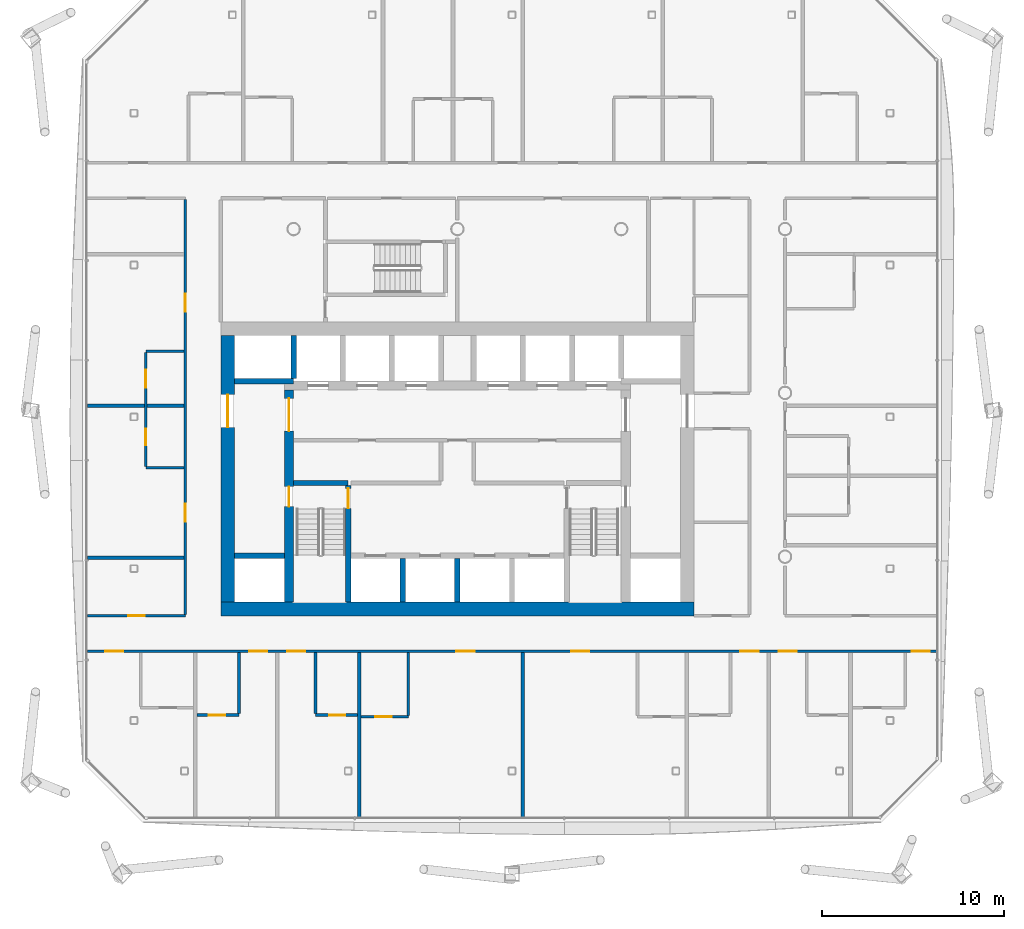
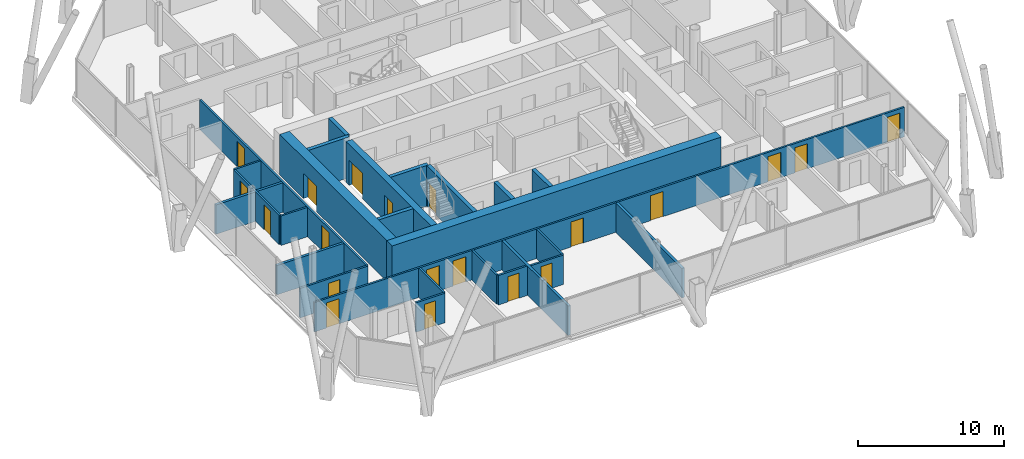
# One storey, part 13 of 22: 26 walls, 20 doors, 20 openings.
"""IFC4 building model written with IfcOpenShell, lengths in metres."""

from ifc_helpers import new_model, si_unit, direction, frame, frame_2d, origin, place, context, subcontext, project, spatial, rectangle, extrude, material, layer, layer_set, type_object, element, fill, save


model = new_model("IFC4")

# Units and contexts
model_context = context("Model", 3, precision=1e-05, world=origin(), true_north=direction((0.0, 1.0)))
body_context = subcontext(model_context, "Body", "Model", "MODEL_VIEW")
ifc_project = project(units=[si_unit("LENGTHUNIT", "METRE"), si_unit("AREAUNIT", "SQUARE_METRE"), si_unit("VOLUMEUNIT", "CUBIC_METRE"), si_unit("PLANEANGLEUNIT", "RADIAN"), si_unit("MASSUNIT", "GRAM", prefix="KILO")], contexts=[model_context])

# Site, building, storey
site_placement = place(None, origin())
site = spatial("IfcSite", under=ifc_project, at=site_placement, CompositionType="ELEMENT")
building_placement = place(site_placement, origin())
building = spatial("IfcBuilding", under=site, at=building_placement, Name="Tskaro Facet Tower", CompositionType="ELEMENT")
storey_placement = place(building_placement, frame((0.0, 0.0, 121.5)))
storey = spatial("IfcBuildingStorey", under=building, at=storey_placement, Name="L28", CompositionType="ELEMENT", Elevation=121.5)

# Walls
ifc_material_1 = material(Name="Concrete C60/75", Category="concrete")
ifc_layer_1 = layer(ifc_material_1, 0.300048828125, Name="Concrete C60/75")
ifc_layer_set_1 = layer_set([ifc_layer_1], Name="Concrete C60/75")
wall_type_1 = type_object("IfcWallType", Name="CORE-SHAFT", PredefinedType="SHEAR", material=ifc_layer_set_1)
wall_1_placement = place(storey_placement, frame((-12.25, -8.949951171875, 0.0), z_axis=(0.0, 0.0, 1.0), x_axis=(1.0, 0.0, 0.0)))
element("IfcWall", 1, at=wall_1_placement, inside=storey, type_object=wall_type_1, Name="Shaft wall W014", PredefinedType="SHEAR", context=body_context, shape_type="SweptSolid", body=[
    extrude(rectangle(XDim=2.75, YDim=0.300048828125, at=frame_2d((1.375, 0.0))), origin(), (0.0, 0.0, 1.0), 3.39990234375),
])
wall_2_placement = place(storey_placement, frame((-9.0, -4.949951171875, 0.0), z_axis=(0.0, 0.0, 1.0), x_axis=(1.0, 0.0, 0.0)))
element("IfcWall", 2, at=wall_2_placement, inside=storey, type_object=wall_type_1, Name="Shaft wall W020", PredefinedType="SHEAR", context=body_context, shape_type="SweptSolid", body=[
    extrude(rectangle(XDim=3.0, YDim=0.300048828125, at=frame_2d((1.5, 0.0))), origin(), (0.0, 0.0, 1.0), 3.39990234375),
])
wall_3_placement = place(storey_placement, frame((-9.0, 0.64990234375, 0.0), z_axis=(0.0, 0.0, 1.0), x_axis=(-1.0, 0.0, 0.0)))
element("IfcWall", 3, at=wall_3_placement, inside=storey, type_object=wall_type_1, Name="Shaft wall W032", PredefinedType="SHEAR", context=body_context, shape_type="SweptSolid", body=[
    extrude(rectangle(XDim=3.25, YDim=0.300048828125, at=frame_2d((1.625, 0.0))), origin(), (0.0, 0.0, 1.0), 3.39990234375),
])
wall_4_placement = place(storey_placement, frame((-9.0, 0.800048828125, 0.0), z_axis=(0.0, 0.0, 1.0), x_axis=(0.0, 1.0, 0.0)))
element("IfcWall", 4, at=wall_4_placement, inside=storey, type_object=wall_type_1, Name="Shaft wall W065", PredefinedType="SHEAR", context=body_context, shape_type="SweptSolid", body=[
    extrude(rectangle(XDim=2.349853515625, YDim=0.300048828125, at=frame_2d((1.1748046875, 0.0))), origin(), (0.0, 0.0, 1.0), 3.39990234375),
])

# Wall, opening, door
wall_5_placement = place(storey_placement, frame((-6.0, -11.5, 0.0), z_axis=(0.0, 0.0, 1.0), x_axis=(0.0, 1.0, 0.0)))
wall_5 = element("IfcWall", 5, at=wall_5_placement, inside=storey, type_object=wall_type_1, Name="Shaft wall W071", PredefinedType="SHEAR", context=body_context, shape_type="SweptSolid", body=[
    extrude(rectangle(XDim=6.39990234375, YDim=0.300048828125, at=frame_2d((3.199951171875, 0.0))), origin(), (0.0, 0.0, 1.0), 3.39990234375),
])
opening_1_placement = place(wall_5_placement, frame((5.14990234375, 0.0, 0.0)))
opening_1 = element("IfcOpeningElement", 6, at=opening_1_placement, cuts=wall_5, Name="Opening ST-1-D1", PredefinedType="OPENING", context=body_context, shape_type="SweptSolid", body=[
    extrude(rectangle(XDim=1.10009765625, YDim=2.10009765625, at=frame_2d((0.550048828125, 1.050048828125))), frame((0.0, 0.159912109375, 0.0), z_axis=(0.0, -1.0, 0.0), x_axis=(1.0, 0.0, 0.0)), (0.0, 0.0, 1.0), 0.320068359375),
])
ifc_material_2 = material(Name="Steel", Category="steel")
door_type_1 = type_object("IfcDoorType", Name="D-STAIR", OperationType="NOTDEFINED", PredefinedType="DOOR", material=ifc_material_2)
door_1_placement = place(opening_1_placement, origin())
door_1 = element("IfcDoor", 7, at=door_1_placement, inside=storey, type_object=door_type_1, Name="Stair door 1", OperationType="SINGLE_SWING_LEFT", OverallHeight=2.10009765625, OverallWidth=1.10009765625, PredefinedType="DOOR", context=body_context, shape_type="SweptSolid", body=[
    extrude(rectangle(XDim=1.10009765625, YDim=2.10009765625, at=frame_2d((0.550048828125, 1.050048828125))), frame((0.0, 0.02490234375, 0.0), z_axis=(0.0, -1.0, 0.0), x_axis=(1.0, 0.0, 0.0)), (0.0, 0.0, 1.0), 0.050048828125),
])
fill(opening_1, door_1)

# Walls
for number, where, z_axis, x_axis, name in (
    (8, (-3.0, -11.5, 0.0), (0.0, 0.0, 1.0), (0.0, 1.0, 0.0), "Shaft wall W075"),
    (9, (0.0, -11.5, 0.0), (0.0, 0.0, 1.0), (0.0, 1.0, 0.0), "Shaft wall W082"),
):
    element("IfcWall", number, at=place(storey_placement, frame(where, z_axis=z_axis, x_axis=x_axis)), inside=storey, type_object=wall_type_1, Name=name, PredefinedType="SHEAR", context=body_context, shape_type="SweptSolid", body=[
        extrude(rectangle(XDim=2.39990234375, YDim=0.300048828125, at=frame_2d((1.199951171875, 0.0))), origin(), (0.0, 0.0, 1.0), 3.39990234375),
    ])

# Wall, openings, doors
ifc_material_3 = material(Name="Concrete C40/50", Category="concrete")
ifc_layer_2 = layer(ifc_material_3, 0.5, Name="Concrete C40/50")
ifc_layer_set_2 = layer_set([ifc_layer_2], Name="Concrete C40/50")
wall_type_2 = type_object("IfcWallType", Name="Core wall 500", PredefinedType="SHEAR", material=ifc_layer_set_2)
wall_6_placement = place(storey_placement, frame((-9.25, -11.5, 0.0), z_axis=(0.0, 0.0, 1.0), x_axis=(0.0, 1.0, 0.0)))
wall_6 = element("IfcWall", 10, at=wall_6_placement, inside=storey, type_object=wall_type_2, Name="Core wall CW-Z3W", PredefinedType="SHEAR", context=body_context, shape_type="SweptSolid", body=[
    extrude(rectangle(XDim=11.64990234375, YDim=0.5, at=frame_2d((5.824951171875, 0.0))), origin(), (0.0, 0.0, 1.0), 3.39990234375),
])
opening_2_placement = place(wall_6_placement, frame((9.39990234375, 0.0, 0.0)))
opening_2 = element("IfcOpeningElement", 11, at=opening_2_placement, cuts=wall_6, Name="Opening T8-D31", PredefinedType="OPENING", context=body_context, shape_type="SweptSolid", body=[
    extrude(rectangle(XDim=1.800048828125, YDim=2.10009765625, at=frame_2d((0.89990234375, 1.050048828125))), frame((0.0, 0.260009765625, 0.0), z_axis=(0.0, -1.0, 0.0), x_axis=(1.0, 0.0, 0.0)), (0.0, 0.0, 1.0), 0.52001953125),
])
opening_3_placement = place(wall_6_placement, frame((5.25, 0.0, 0.0)))
opening_3 = element("IfcOpeningElement", 12, at=opening_3_placement, cuts=wall_6, Name="Opening ST-1-D2", PredefinedType="OPENING", context=body_context, shape_type="SweptSolid", body=[
    extrude(rectangle(XDim=1.10009765625, YDim=2.10009765625, at=frame_2d((0.550048828125, 1.050048828125))), frame((0.0, 0.260009765625, 0.0), z_axis=(0.0, -1.0, 0.0), x_axis=(1.0, 0.0, 0.0)), (0.0, 0.0, 1.0), 0.52001953125),
])
door_type_2 = type_object("IfcDoorType", Name="D-CORE-PAIR", OperationType="NOTDEFINED", PredefinedType="DOOR", material=ifc_material_2)
door_2_placement = place(opening_2_placement, origin())
door_2 = element("IfcDoor", 13, at=door_2_placement, inside=storey, type_object=door_type_2, Name="Door T8-D31", OperationType="DOUBLE_DOOR_SINGLE_SWING", OverallHeight=2.10009765625, OverallWidth=1.800048828125, PredefinedType="DOOR", context=body_context, shape_type="SweptSolid", body=[
    extrude(rectangle(XDim=1.800048828125, YDim=2.10009765625, at=frame_2d((0.89990234375, 1.050048828125))), frame((0.0, 0.02490234375, 0.0), z_axis=(0.0, -1.0, 0.0), x_axis=(1.0, 0.0, 0.0)), (0.0, 0.0, 1.0), 0.050048828125),
])
fill(opening_2, door_2)
door_3_placement = place(opening_3_placement, origin())
door_3 = element("IfcDoor", 14, at=door_3_placement, inside=storey, type_object=door_type_1, Name="Stair door 1 west", OperationType="SINGLE_SWING_LEFT", OverallHeight=2.10009765625, OverallWidth=1.10009765625, PredefinedType="DOOR", context=body_context, shape_type="SweptSolid", body=[
    extrude(rectangle(XDim=1.10009765625, YDim=2.10009765625, at=frame_2d((0.550048828125, 1.050048828125))), frame((0.0, 0.02490234375, 0.0), z_axis=(0.0, -1.0, 0.0), x_axis=(1.0, 0.0, 0.0)), (0.0, 0.0, 1.0), 0.050048828125),
])
fill(opening_3, door_3)

# Wall
ifc_material_4 = material(Name="Concrete C50/60", Category="concrete")
ifc_layer_3 = layer(ifc_material_4, 0.75, Name="Concrete C50/60")
ifc_layer_set_3 = layer_set([ifc_layer_3], Name="Concrete C50/60")
wall_type_3 = type_object("IfcWallType", Name="Core wall 750", PredefinedType="SHEAR", material=ifc_layer_set_3)
wall_7_placement = place(storey_placement, frame((-13.0, -11.875, 0.0), z_axis=(0.0, 0.0, 1.0), x_axis=(1.0, 0.0, 0.0)))
element("IfcWall", 15, at=wall_7_placement, inside=storey, type_object=wall_type_3, Name="Core wall CW-Z2S", PredefinedType="SHEAR", context=body_context, shape_type="SweptSolid", body=[
    extrude(rectangle(XDim=26.0, YDim=0.75, at=frame_2d((13.0, 0.0))), origin(), (0.0, 0.0, 1.0), 3.39990234375),
])

# Wall, opening, door
wall_8_placement = place(storey_placement, frame((-12.625, -11.5, 0.0), z_axis=(0.0, 0.0, 1.0), x_axis=(0.0, 1.0, 0.0)))
wall_8 = element("IfcWall", 16, at=wall_8_placement, inside=storey, type_object=wall_type_3, Name="Core wall CW-Z2W", PredefinedType="SHEAR", context=body_context, shape_type="SweptSolid", body=[
    extrude(rectangle(XDim=14.64990234375, YDim=0.75, at=frame_2d((7.324951171875, 0.0))), origin(), (0.0, 0.0, 1.0), 3.39990234375),
])
opening_4_placement = place(wall_8_placement, frame((9.60009765625, 0.0, 0.0)))
opening_4 = element("IfcOpeningElement", 17, at=opening_4_placement, cuts=wall_8, Name="Opening T8-D33", PredefinedType="OPENING", context=body_context, shape_type="SweptSolid", body=[
    extrude(rectangle(XDim=1.800048828125, YDim=2.10009765625, at=frame_2d((0.89990234375, 1.050048828125))), frame((0.0, 0.385009765625, 0.0), z_axis=(0.0, -1.0, 0.0), x_axis=(1.0, 0.0, 0.0)), (0.0, 0.0, 1.0), 0.77001953125),
])
door_4_placement = place(opening_4_placement, origin())
door_4 = element("IfcDoor", 18, at=door_4_placement, inside=storey, type_object=door_type_2, Name="Door T8-D33", OperationType="DOUBLE_DOOR_SINGLE_SWING", OverallHeight=2.10009765625, OverallWidth=1.800048828125, PredefinedType="DOOR", context=body_context, shape_type="SweptSolid", body=[
    extrude(rectangle(XDim=1.800048828125, YDim=2.10009765625, at=frame_2d((0.89990234375, 1.050048828125))), frame((0.0, 0.02490234375, 0.0), z_axis=(0.0, -1.0, 0.0), x_axis=(1.0, 0.0, 0.0)), (0.0, 0.0, 1.0), 0.050048828125),
])
fill(opening_4, door_4)

ifc_material_5 = material(Name="Gypsum board on steel studs", Category="steel")
ifc_layer_4 = layer(ifc_material_5, 0.14990234375, Name="Gypsum board on steel studs")
ifc_layer_set_4 = layer_set([ifc_layer_4], Name="Gypsum board on steel studs")
wall_type_4 = type_object("IfcWallType", Name="PART-CORR", PredefinedType="PARTITIONING", material=ifc_layer_set_4)
wall_9_placement = place(storey_placement, frame((-5.300048828125, -17.800048828125, 0.0), z_axis=(0.0, 0.0, 1.0), x_axis=(1.0, 0.0, 0.0)))
wall_9 = element("IfcWall", 19, at=wall_9_placement, inside=storey, type_object=wall_type_4, Name="Corridor wall W001", PredefinedType="PARTITIONING", context=body_context, shape_type="SweptSolid", body=[
    extrude(rectangle(XDim=2.60009765625, YDim=0.14990234375, at=frame_2d((1.300048828125, 0.0))), origin(), (0.0, 0.0, 1.0), 2.4599609375),
])
opening_5_placement = place(wall_9_placement, frame((0.800048828125, 0.0, 0.0)))
opening_5 = element("IfcOpeningElement", 20, at=opening_5_placement, cuts=wall_9, Name="Opening T8-D01", PredefinedType="OPENING", context=body_context, shape_type="SweptSolid", body=[
    extrude(rectangle(XDim=0.89990234375, YDim=2.10009765625, at=frame_2d((0.449951171875, 1.050048828125))), frame((0.0, 0.0849609375, 0.0), z_axis=(0.0, -1.0, 0.0), x_axis=(1.0, 0.0, 0.0)), (0.0, 0.0, 1.0), 0.169921875),
])
ifc_material_6 = material(Name="Timber", Category="wood")
door_type_3 = type_object("IfcDoorType", Name="D-ROOM", OperationType="NOTDEFINED", PredefinedType="DOOR", material=ifc_material_6)
door_5_placement = place(opening_5_placement, origin())
door_5 = element("IfcDoor", 21, at=door_5_placement, inside=storey, type_object=door_type_3, Name="Door T8-D01", OperationType="SINGLE_SWING_LEFT", OverallHeight=2.10009765625, OverallWidth=0.89990234375, PredefinedType="DOOR", context=body_context, shape_type="SweptSolid", body=[
    extrude(rectangle(XDim=0.89990234375, YDim=2.10009765625, at=frame_2d((0.449951171875, 1.050048828125))), frame((0.0, 0.02490234375, 0.0), z_axis=(0.0, -1.0, 0.0), x_axis=(1.0, 0.0, 0.0)), (0.0, 0.0, 1.0), 0.050048828125),
])
fill(opening_5, door_5)

wall_10_placement = place(storey_placement, frame((-14.299072265625, -17.699951171875, 0.0), z_axis=(0.0, 0.0, 1.0), x_axis=(1.0, 0.0, 0.0)))
wall_10 = element("IfcWall", 22, at=wall_10_placement, inside=storey, type_object=wall_type_4, Name="Corridor wall W003", PredefinedType="PARTITIONING", context=body_context, shape_type="SweptSolid", body=[
    extrude(rectangle(XDim=2.300048828125, YDim=0.14990234375, at=frame_2d((1.14990234375, 0.0))), origin(), (0.0, 0.0, 1.0), 2.4599609375),
])
opening_6_placement = place(wall_10_placement, frame((0.64990234375, 0.0, 0.0)))
opening_6 = element("IfcOpeningElement", 23, at=opening_6_placement, cuts=wall_10, Name="Opening T8-D03", PredefinedType="OPENING", context=body_context, shape_type="SweptSolid", body=[
    extrude(rectangle(XDim=0.89990234375, YDim=2.10009765625, at=frame_2d((0.449951171875, 1.050048828125))), frame((0.0, 0.0849609375, 0.0), z_axis=(0.0, -1.0, 0.0), x_axis=(1.0, 0.0, 0.0)), (0.0, 0.0, 1.0), 0.169921875),
])
door_6_placement = place(opening_6_placement, origin())
door_6 = element("IfcDoor", 24, at=door_6_placement, inside=storey, type_object=door_type_3, Name="Door T8-D03", OperationType="SINGLE_SWING_LEFT", OverallHeight=2.10009765625, OverallWidth=0.89990234375, PredefinedType="DOOR", context=body_context, shape_type="SweptSolid", body=[
    extrude(rectangle(XDim=0.89990234375, YDim=2.10009765625, at=frame_2d((0.449951171875, 1.050048828125))), frame((0.0, 0.02490234375, 0.0), z_axis=(0.0, -1.0, 0.0), x_axis=(1.0, 0.0, 0.0)), (0.0, 0.0, 1.0), 0.050048828125),
])
fill(opening_6, door_6)

wall_11_placement = place(storey_placement, frame((-7.800048828125, -17.699951171875, 0.0), z_axis=(0.0, 0.0, 1.0), x_axis=(1.0, 0.0, 0.0)))
wall_11 = element("IfcWall", 25, at=wall_11_placement, inside=storey, type_object=wall_type_4, Name="Corridor wall W004", PredefinedType="PARTITIONING", context=body_context, shape_type="SweptSolid", body=[
    extrude(rectangle(XDim=2.300048828125, YDim=0.14990234375, at=frame_2d((1.14990234375, 0.0))), origin(), (0.0, 0.0, 1.0), 2.4599609375),
])
opening_7_placement = place(wall_11_placement, frame((0.75, 0.0, 0.0)))
opening_7 = element("IfcOpeningElement", 26, at=opening_7_placement, cuts=wall_11, Name="Opening T8-D04", PredefinedType="OPENING", context=body_context, shape_type="SweptSolid", body=[
    extrude(rectangle(XDim=0.89990234375, YDim=2.10009765625, at=frame_2d((0.449951171875, 1.050048828125))), frame((0.0, 0.0849609375, 0.0), z_axis=(0.0, -1.0, 0.0), x_axis=(1.0, 0.0, 0.0)), (0.0, 0.0, 1.0), 0.169921875),
])
door_7_placement = place(opening_7_placement, origin())
door_7 = element("IfcDoor", 27, at=door_7_placement, inside=storey, type_object=door_type_3, Name="Door T8-D04", OperationType="SINGLE_SWING_LEFT", OverallHeight=2.10009765625, OverallWidth=0.89990234375, PredefinedType="DOOR", context=body_context, shape_type="SweptSolid", body=[
    extrude(rectangle(XDim=0.89990234375, YDim=2.10009765625, at=frame_2d((0.449951171875, 1.050048828125))), frame((0.0, 0.02490234375, 0.0), z_axis=(0.0, -1.0, 0.0), x_axis=(1.0, 0.0, 0.0)), (0.0, 0.0, 1.0), 0.050048828125),
])
fill(opening_7, door_7)

# Wall, openings, doors
wall_12_placement = place(storey_placement, frame((26.31689453125, -14.199951171875, 0.0), z_axis=(0.0, 0.0, 1.0), x_axis=(-1.0, 0.0, 0.0)))
wall_12 = element("IfcWall", 28, at=wall_12_placement, inside=storey, type_object=wall_type_4, Name="Corridor wall W009", PredefinedType="PARTITIONING", context=body_context, shape_type="SweptSolid", body=[
    extrude(rectangle(XDim=46.6337890625, YDim=0.14990234375, at=frame_2d((23.31689453125, 0.0))), origin(), (0.0, 0.0, 1.0), 2.4599609375),
])
opening_8_placement = place(wall_12_placement, frame((44.675048828125, 0.0, 0.0)))
opening_8 = element("IfcOpeningElement", 29, at=opening_8_placement, cuts=wall_12, Name="Opening T8-D09", PredefinedType="OPENING", context=body_context, shape_type="SweptSolid", body=[
    extrude(rectangle(XDim=1.0, YDim=2.10009765625, at=frame_2d((0.5, 1.050048828125))), frame((0.0, 0.0849609375, 0.0), z_axis=(0.0, -1.0, 0.0), x_axis=(1.0, 0.0, 0.0)), (0.0, 0.0, 1.0), 0.169921875),
])
opening_9_placement = place(wall_12_placement, frame((36.76611328125, 0.0, 0.0)))
opening_9 = element("IfcOpeningElement", 30, at=opening_9_placement, cuts=wall_12, Name="Opening T8-D10", PredefinedType="OPENING", context=body_context, shape_type="SweptSolid", body=[
    extrude(rectangle(XDim=1.0, YDim=2.10009765625, at=frame_2d((0.5, 1.050048828125))), frame((0.0, 0.0849609375, 0.0), z_axis=(0.0, -1.0, 0.0), x_axis=(1.0, 0.0, 0.0)), (0.0, 0.0, 1.0), 0.169921875),
])
opening_10_placement = place(wall_12_placement, frame((34.66650390625, 0.0, 0.0)))
opening_10 = element("IfcOpeningElement", 31, at=opening_10_placement, cuts=wall_12, Name="Opening T8-D11", PredefinedType="OPENING", context=body_context, shape_type="SweptSolid", body=[
    extrude(rectangle(XDim=1.0, YDim=2.10009765625, at=frame_2d((0.5, 1.050048828125))), frame((0.0, 0.0849609375, 0.0), z_axis=(0.0, -1.0, 0.0), x_axis=(1.0, 0.0, 0.0)), (0.0, 0.0, 1.0), 0.169921875),
])
opening_11_placement = place(wall_12_placement, frame((25.366943359375, 0.0, 0.0)))
opening_11 = element("IfcOpeningElement", 32, at=opening_11_placement, cuts=wall_12, Name="Opening T8-D12", PredefinedType="OPENING", context=body_context, shape_type="SweptSolid", body=[
    extrude(rectangle(XDim=1.0, YDim=2.10009765625, at=frame_2d((0.5, 1.050048828125))), frame((0.0, 0.0849609375, 0.0), z_axis=(0.0, -1.0, 0.0), x_axis=(1.0, 0.0, 0.0)), (0.0, 0.0, 1.0), 0.169921875),
])
opening_12_placement = place(wall_12_placement, frame((19.06689453125, 0.0, 0.0)))
opening_12 = element("IfcOpeningElement", 33, at=opening_12_placement, cuts=wall_12, Name="Opening T8-D13", PredefinedType="OPENING", context=body_context, shape_type="SweptSolid", body=[
    extrude(rectangle(XDim=1.0, YDim=2.10009765625, at=frame_2d((0.5, 1.050048828125))), frame((0.0, 0.0849609375, 0.0), z_axis=(0.0, -1.0, 0.0), x_axis=(1.0, 0.0, 0.0)), (0.0, 0.0, 1.0), 0.169921875),
])
opening_13_placement = place(wall_12_placement, frame((9.767578125, 0.0, 0.0)))
opening_13 = element("IfcOpeningElement", 34, at=opening_13_placement, cuts=wall_12, Name="Opening T8-D14", PredefinedType="OPENING", context=body_context, shape_type="SweptSolid", body=[
    extrude(rectangle(XDim=1.0, YDim=2.10009765625, at=frame_2d((0.5, 1.050048828125))), frame((0.0, 0.0849609375, 0.0), z_axis=(0.0, -1.0, 0.0), x_axis=(1.0, 0.0, 0.0)), (0.0, 0.0, 1.0), 0.169921875),
])
opening_14_placement = place(wall_12_placement, frame((7.66796875, 0.0, 0.0)))
opening_14 = element("IfcOpeningElement", 35, at=opening_14_placement, cuts=wall_12, Name="Opening T8-D15", PredefinedType="OPENING", context=body_context, shape_type="SweptSolid", body=[
    extrude(rectangle(XDim=1.0, YDim=2.10009765625, at=frame_2d((0.5, 1.050048828125))), frame((0.0, 0.0849609375, 0.0), z_axis=(0.0, -1.0, 0.0), x_axis=(1.0, 0.0, 0.0)), (0.0, 0.0, 1.0), 0.169921875),
])
opening_15_placement = place(wall_12_placement, frame((0.35888671875, 0.0, 0.0)))
opening_15 = element("IfcOpeningElement", 36, at=opening_15_placement, cuts=wall_12, Name="Opening T8-D16", PredefinedType="OPENING", context=body_context, shape_type="SweptSolid", body=[
    extrude(rectangle(XDim=1.0, YDim=2.10009765625, at=frame_2d((0.5, 1.050048828125))), frame((0.0, 0.0849609375, 0.0), z_axis=(0.0, -1.0, 0.0), x_axis=(1.0, 0.0, 0.0)), (0.0, 0.0, 1.0), 0.169921875),
])
door_type_4 = type_object("IfcDoorType", Name="D-ENTRY", OperationType="NOTDEFINED", PredefinedType="DOOR", material=ifc_material_6)
door_8_placement = place(opening_8_placement, origin())
door_8 = element("IfcDoor", 37, at=door_8_placement, inside=storey, type_object=door_type_4, Name="Door T8-D09", OperationType="SINGLE_SWING_LEFT", OverallHeight=2.10009765625, OverallWidth=1.0, PredefinedType="DOOR", context=body_context, shape_type="SweptSolid", body=[
    extrude(rectangle(XDim=1.0, YDim=2.10009765625, at=frame_2d((0.5, 1.050048828125))), frame((0.0, 0.02490234375, 0.0), z_axis=(0.0, -1.0, 0.0), x_axis=(1.0, 0.0, 0.0)), (0.0, 0.0, 1.0), 0.050048828125),
])
fill(opening_8, door_8)
door_9_placement = place(opening_9_placement, origin())
door_9 = element("IfcDoor", 38, at=door_9_placement, inside=storey, type_object=door_type_4, Name="Door T8-D10", OperationType="SINGLE_SWING_RIGHT", OverallHeight=2.10009765625, OverallWidth=1.0, PredefinedType="DOOR", context=body_context, shape_type="SweptSolid", body=[
    extrude(rectangle(XDim=1.0, YDim=2.10009765625, at=frame_2d((0.5, 1.050048828125))), frame((0.0, 0.02490234375, 0.0), z_axis=(0.0, -1.0, 0.0), x_axis=(1.0, 0.0, 0.0)), (0.0, 0.0, 1.0), 0.050048828125),
])
fill(opening_9, door_9)
door_10_placement = place(opening_10_placement, origin())
door_10 = element("IfcDoor", 39, at=door_10_placement, inside=storey, type_object=door_type_4, Name="Door T8-D11", OperationType="SINGLE_SWING_RIGHT", OverallHeight=2.10009765625, OverallWidth=1.0, PredefinedType="DOOR", context=body_context, shape_type="SweptSolid", body=[
    extrude(rectangle(XDim=1.0, YDim=2.10009765625, at=frame_2d((0.5, 1.050048828125))), frame((0.0, 0.02490234375, 0.0), z_axis=(0.0, -1.0, 0.0), x_axis=(1.0, 0.0, 0.0)), (0.0, 0.0, 1.0), 0.050048828125),
])
fill(opening_10, door_10)
door_11_placement = place(opening_11_placement, origin())
door_11 = element("IfcDoor", 40, at=door_11_placement, inside=storey, type_object=door_type_4, Name="Door T8-D12", OperationType="SINGLE_SWING_LEFT", OverallHeight=2.10009765625, OverallWidth=1.0, PredefinedType="DOOR", context=body_context, shape_type="SweptSolid", body=[
    extrude(rectangle(XDim=1.0, YDim=2.10009765625, at=frame_2d((0.5, 1.050048828125))), frame((0.0, 0.02490234375, 0.0), z_axis=(0.0, -1.0, 0.0), x_axis=(1.0, 0.0, 0.0)), (0.0, 0.0, 1.0), 0.050048828125),
])
fill(opening_11, door_11)
door_12_placement = place(opening_12_placement, origin())
door_12 = element("IfcDoor", 41, at=door_12_placement, inside=storey, type_object=door_type_4, Name="Door T8-D13", OperationType="SINGLE_SWING_LEFT", OverallHeight=2.10009765625, OverallWidth=1.0, PredefinedType="DOOR", context=body_context, shape_type="SweptSolid", body=[
    extrude(rectangle(XDim=1.0, YDim=2.10009765625, at=frame_2d((0.5, 1.050048828125))), frame((0.0, 0.02490234375, 0.0), z_axis=(0.0, -1.0, 0.0), x_axis=(1.0, 0.0, 0.0)), (0.0, 0.0, 1.0), 0.050048828125),
])
fill(opening_12, door_12)
door_13_placement = place(opening_13_placement, origin())
door_13 = element("IfcDoor", 42, at=door_13_placement, inside=storey, type_object=door_type_4, Name="Door T8-D14", OperationType="SINGLE_SWING_RIGHT", OverallHeight=2.10009765625, OverallWidth=1.0, PredefinedType="DOOR", context=body_context, shape_type="SweptSolid", body=[
    extrude(rectangle(XDim=1.0, YDim=2.10009765625, at=frame_2d((0.5, 1.050048828125))), frame((0.0, 0.02490234375, 0.0), z_axis=(0.0, -1.0, 0.0), x_axis=(1.0, 0.0, 0.0)), (0.0, 0.0, 1.0), 0.050048828125),
])
fill(opening_13, door_13)
door_14_placement = place(opening_14_placement, origin())
door_14 = element("IfcDoor", 43, at=door_14_placement, inside=storey, type_object=door_type_4, Name="Door T8-D15", OperationType="SINGLE_SWING_RIGHT", OverallHeight=2.10009765625, OverallWidth=1.0, PredefinedType="DOOR", context=body_context, shape_type="SweptSolid", body=[
    extrude(rectangle(XDim=1.0, YDim=2.10009765625, at=frame_2d((0.5, 1.050048828125))), frame((0.0, 0.02490234375, 0.0), z_axis=(0.0, -1.0, 0.0), x_axis=(1.0, 0.0, 0.0)), (0.0, 0.0, 1.0), 0.050048828125),
])
fill(opening_14, door_14)
door_15_placement = place(opening_15_placement, origin())
door_15 = element("IfcDoor", 44, at=door_15_placement, inside=storey, type_object=door_type_4, Name="Door T8-D16", OperationType="SINGLE_SWING_LEFT", OverallHeight=2.10009765625, OverallWidth=1.0, PredefinedType="DOOR", context=body_context, shape_type="SweptSolid", body=[
    extrude(rectangle(XDim=1.0, YDim=2.10009765625, at=frame_2d((0.5, 1.050048828125))), frame((0.0, 0.02490234375, 0.0), z_axis=(0.0, -1.0, 0.0), x_axis=(1.0, 0.0, 0.0)), (0.0, 0.0, 1.0), 0.050048828125),
])
fill(opening_15, door_15)

# Wall, opening, door
wall_13_placement = place(storey_placement, frame((-20.31689453125, -12.25, 0.0), z_axis=(0.0, 0.0, 1.0), x_axis=(1.0, 0.0, 0.0)))
wall_13 = element("IfcWall", 45, at=wall_13_placement, inside=storey, type_object=wall_type_4, Name="Corridor wall W010", PredefinedType="PARTITIONING", context=body_context, shape_type="SweptSolid", body=[
    extrude(rectangle(XDim=5.366943359375, YDim=0.14990234375, at=frame_2d((2.68359375, 0.0))), origin(), (0.0, 0.0, 1.0), 2.4599609375),
])
opening_16_placement = place(wall_13_placement, frame((2.2333984375, 0.0, 0.0)))
opening_16 = element("IfcOpeningElement", 46, at=opening_16_placement, cuts=wall_13, Name="Opening T8-D17", PredefinedType="OPENING", context=body_context, shape_type="SweptSolid", body=[
    extrude(rectangle(XDim=0.89990234375, YDim=2.10009765625, at=frame_2d((0.449951171875, 1.050048828125))), frame((0.0, 0.0849609375, 0.0), z_axis=(0.0, -1.0, 0.0), x_axis=(1.0, 0.0, 0.0)), (0.0, 0.0, 1.0), 0.169921875),
])
door_16_placement = place(opening_16_placement, origin())
door_16 = element("IfcDoor", 47, at=door_16_placement, inside=storey, type_object=door_type_3, Name="Door T8-D17", OperationType="SINGLE_SWING_LEFT", OverallHeight=2.10009765625, OverallWidth=0.89990234375, PredefinedType="DOOR", context=body_context, shape_type="SweptSolid", body=[
    extrude(rectangle(XDim=0.89990234375, YDim=2.10009765625, at=frame_2d((0.449951171875, 1.050048828125))), frame((0.0, 0.02490234375, 0.0), z_axis=(0.0, -1.0, 0.0), x_axis=(1.0, 0.0, 0.0)), (0.0, 0.0, 1.0), 0.050048828125),
])
fill(opening_16, door_16)

# Walls
for number, where, z_axis, x_axis, name in (
    (48, (-17.1201171875, -4.114990234375, 0.0), (0.0, 0.0, 1.0), (1.0, 0.0, 0.0), "Corridor wall W025"),
    (49, (-17.1201171875, 2.284912109375, 0.0), (0.0, 0.0, 1.0), (1.0, 0.0, 0.0), "Corridor wall W034"),
):
    element("IfcWall", number, at=place(storey_placement, frame(where, z_axis=z_axis, x_axis=x_axis)), inside=storey, type_object=wall_type_4, Name=name, PredefinedType="PARTITIONING", context=body_context, shape_type="SweptSolid", body=[
        extrude(rectangle(XDim=2.09521484375, YDim=0.14990234375, at=frame_2d((1.047607421875, 0.0))), origin(), (0.0, 0.0, 1.0), 2.4599609375),
    ])

# Wall, openings, doors
wall_14_placement = place(storey_placement, frame((-17.1201171875, 2.2099609375, 0.0), z_axis=(0.0, 0.0, 1.0), x_axis=(0.0, -1.0, 0.0)))
wall_14 = element("IfcWall", 50, at=wall_14_placement, inside=storey, type_object=wall_type_4, Name="Corridor wall W056", PredefinedType="PARTITIONING", context=body_context, shape_type="SweptSolid", body=[
    extrude(rectangle(XDim=6.25, YDim=0.14990234375, at=frame_2d((3.125, 0.0))), origin(), (0.0, 0.0, 1.0), 2.4599609375),
])
opening_17_placement = place(wall_14_placement, frame((4.175048828125, 0.0, 0.0)))
opening_17 = element("IfcOpeningElement", 51, at=opening_17_placement, cuts=wall_14, Name="Opening T8-D28", PredefinedType="OPENING", context=body_context, shape_type="SweptSolid", body=[
    extrude(rectangle(XDim=0.89990234375, YDim=2.10009765625, at=frame_2d((0.449951171875, 1.050048828125))), frame((0.0, 0.0849609375, 0.0), z_axis=(0.0, -1.0, 0.0), x_axis=(1.0, 0.0, 0.0)), (0.0, 0.0, 1.0), 0.169921875),
])
opening_18_placement = place(wall_14_placement, frame((0.925048828125, 0.0, 0.0)))
opening_18 = element("IfcOpeningElement", 52, at=opening_18_placement, cuts=wall_14, Name="Opening T8-D38", PredefinedType="OPENING", context=body_context, shape_type="SweptSolid", body=[
    extrude(rectangle(XDim=1.0, YDim=2.10009765625, at=frame_2d((0.5, 1.050048828125))), frame((0.0, 0.0849609375, 0.0), z_axis=(0.0, -1.0, 0.0), x_axis=(1.0, 0.0, 0.0)), (0.0, 0.0, 1.0), 0.169921875),
])
door_17_placement = place(opening_17_placement, origin())
door_17 = element("IfcDoor", 53, at=door_17_placement, inside=storey, type_object=door_type_3, Name="Door T8-D28", OperationType="SINGLE_SWING_RIGHT", OverallHeight=2.10009765625, OverallWidth=0.89990234375, PredefinedType="DOOR", context=body_context, shape_type="SweptSolid", body=[
    extrude(rectangle(XDim=0.89990234375, YDim=2.10009765625, at=frame_2d((0.449951171875, 1.050048828125))), frame((0.0, 0.02490234375, 0.0), z_axis=(0.0, -1.0, 0.0), x_axis=(1.0, 0.0, 0.0)), (0.0, 0.0, 1.0), 0.050048828125),
])
fill(opening_17, door_17)
door_type_5 = type_object("IfcDoorType", Name="D-ROOM-WIDE", OperationType="NOTDEFINED", PredefinedType="DOOR", material=ifc_material_6)
door_18_placement = place(opening_18_placement, origin())
door_18 = element("IfcDoor", 54, at=door_18_placement, inside=storey, type_object=door_type_5, Name="Door T8-D38", OperationType="SINGLE_SWING_RIGHT", OverallHeight=2.10009765625, OverallWidth=1.0, PredefinedType="DOOR", context=body_context, shape_type="SweptSolid", body=[
    extrude(rectangle(XDim=1.0, YDim=2.10009765625, at=frame_2d((0.5, 1.050048828125))), frame((0.0, 0.02490234375, 0.0), z_axis=(0.0, -1.0, 0.0), x_axis=(1.0, 0.0, 0.0)), (0.0, 0.0, 1.0), 0.050048828125),
])
fill(opening_18, door_18)

wall_15_placement = place(storey_placement, frame((-14.949951171875, -12.175048828125, 0.0), z_axis=(0.0, 0.0, 1.0), x_axis=(0.0, 1.0, 0.0)))
wall_15 = element("IfcWall", 55, at=wall_15_placement, inside=storey, type_object=wall_type_4, Name="Corridor wall W057", PredefinedType="PARTITIONING", context=body_context, shape_type="SweptSolid", body=[
    extrude(rectangle(XDim=22.800048828125, YDim=0.14990234375, at=frame_2d((11.39990234375, 0.0))), origin(), (0.0, 0.0, 1.0), 2.4599609375),
])
opening_19_placement = place(wall_15_placement, frame((5.089111328125, 0.0, 0.0)))
opening_19 = element("IfcOpeningElement", 56, at=opening_19_placement, cuts=wall_15, Name="Opening T8-D23", PredefinedType="OPENING", context=body_context, shape_type="SweptSolid", body=[
    extrude(rectangle(XDim=1.0, YDim=2.10009765625, at=frame_2d((0.5, 1.050048828125))), frame((0.0, 0.0849609375, 0.0), z_axis=(0.0, -1.0, 0.0), x_axis=(1.0, 0.0, 0.0)), (0.0, 0.0, 1.0), 0.169921875),
])
opening_20_placement = place(wall_15_placement, frame((16.630615234375, 0.0, 0.0)))
opening_20 = element("IfcOpeningElement", 57, at=opening_20_placement, cuts=wall_15, Name="Opening T8-D41", PredefinedType="OPENING", context=body_context, shape_type="SweptSolid", body=[
    extrude(rectangle(XDim=1.0, YDim=2.10009765625, at=frame_2d((0.5, 1.050048828125))), frame((0.0, 0.0849609375, 0.0), z_axis=(0.0, -1.0, 0.0), x_axis=(1.0, 0.0, 0.0)), (0.0, 0.0, 1.0), 0.169921875),
])
door_19_placement = place(opening_19_placement, origin())
door_19 = element("IfcDoor", 58, at=door_19_placement, inside=storey, type_object=door_type_4, Name="Door T8-D23", OperationType="SINGLE_SWING_RIGHT", OverallHeight=2.10009765625, OverallWidth=1.0, PredefinedType="DOOR", context=body_context, shape_type="SweptSolid", body=[
    extrude(rectangle(XDim=1.0, YDim=2.10009765625, at=frame_2d((0.5, 1.050048828125))), frame((0.0, 0.02490234375, 0.0), z_axis=(0.0, -1.0, 0.0), x_axis=(1.0, 0.0, 0.0)), (0.0, 0.0, 1.0), 0.050048828125),
])
fill(opening_19, door_19)
door_20_placement = place(opening_20_placement, origin())
door_20 = element("IfcDoor", 59, at=door_20_placement, inside=storey, type_object=door_type_4, Name="Door T8-D41", OperationType="SINGLE_SWING_LEFT", OverallHeight=2.10009765625, OverallWidth=1.0, PredefinedType="DOOR", context=body_context, shape_type="SweptSolid", body=[
    extrude(rectangle(XDim=1.0, YDim=2.10009765625, at=frame_2d((0.5, 1.050048828125))), frame((0.0, 0.02490234375, 0.0), z_axis=(0.0, -1.0, 0.0), x_axis=(1.0, 0.0, 0.0)), (0.0, 0.0, 1.0), 0.050048828125),
])
fill(opening_20, door_20)

# Walls
for number, where, z_axis, x_axis, name in (
    (60, (-11.9990234375, -17.625, 0.0), (0.0, 0.0, 1.0), (0.0, 1.0, 0.0), "Corridor wall W061"),
    (61, (-7.800048828125, -17.625, 0.0), (0.0, 0.0, 1.0), (0.0, 1.0, 0.0), "Corridor wall W066"),
):
    element("IfcWall", number, at=place(storey_placement, frame(where, z_axis=z_axis, x_axis=x_axis)), inside=storey, type_object=wall_type_4, Name=name, PredefinedType="PARTITIONING", context=body_context, shape_type="SweptSolid", body=[
        extrude(rectangle(XDim=3.35009765625, YDim=0.14990234375, at=frame_2d((1.675048828125, 0.0))), origin(), (0.0, 0.0, 1.0), 2.4599609375),
    ])
wall_16_placement = place(storey_placement, frame((-2.699951171875, -17.72509765625, 0.0), z_axis=(0.0, 0.0, 1.0), x_axis=(0.0, 1.0, 0.0)))
element("IfcWall", 62, at=wall_16_placement, inside=storey, type_object=wall_type_4, Name="Corridor wall W076", PredefinedType="PARTITIONING", context=body_context, shape_type="SweptSolid", body=[
    extrude(rectangle(XDim=3.4501953125, YDim=0.14990234375, at=frame_2d((1.72509765625, 0.0))), origin(), (0.0, 0.0, 1.0), 2.4599609375),
])
ifc_layer_5 = layer(ifc_material_5, 0.199951171875, Name="Gypsum board on steel studs")
ifc_layer_set_5 = layer_set([ifc_layer_5], Name="Gypsum board on steel studs")
wall_type_5 = type_object("IfcWallType", Name="PART-DEMISING", PredefinedType="PARTITIONING", material=ifc_layer_set_5)
for number, where, z_axis, x_axis, name in (
    (63, (-20.31689453125, -9.056884765625, 0.0), (0.0, 0.0, 1.0), (1.0, 0.0, 0.0), "Guest room wall W013"),
    (64, (-20.31689453125, -0.715087890625, 0.0), (0.0, 0.0, 1.0), (1.0, 0.0, 0.0), "Guest room wall W030"),
):
    element("IfcWall", number, at=place(storey_placement, frame(where, z_axis=z_axis, x_axis=x_axis)), inside=storey, type_object=wall_type_5, Name=name, PredefinedType="PARTITIONING", context=body_context, shape_type="SweptSolid", body=[
        extrude(rectangle(XDim=5.2919921875, YDim=0.199951171875, at=frame_2d((2.64599609375, 0.0))), origin(), (0.0, 0.0, 1.0), 2.4599609375),
    ])
for number, where, z_axis, x_axis, name in (
    (65, (-5.39990234375, -23.31689453125, 0.0), (0.0, 0.0, 1.0), (0.0, 1.0, 0.0), "Guest room wall W072"),
    (66, (3.60009765625, -23.31689453125, 0.0), (0.0, 0.0, 1.0), (0.0, 1.0, 0.0), "Guest room wall W089"),
):
    element("IfcWall", number, at=place(storey_placement, frame(where, z_axis=z_axis, x_axis=x_axis)), inside=storey, type_object=wall_type_5, Name=name, PredefinedType="PARTITIONING", context=body_context, shape_type="SweptSolid", body=[
        extrude(rectangle(XDim=9.0419921875, YDim=0.199951171875, at=frame_2d((4.52099609375, 0.0))), origin(), (0.0, 0.0, 1.0), 2.4599609375),
    ])

save(model, "model.ifc")
